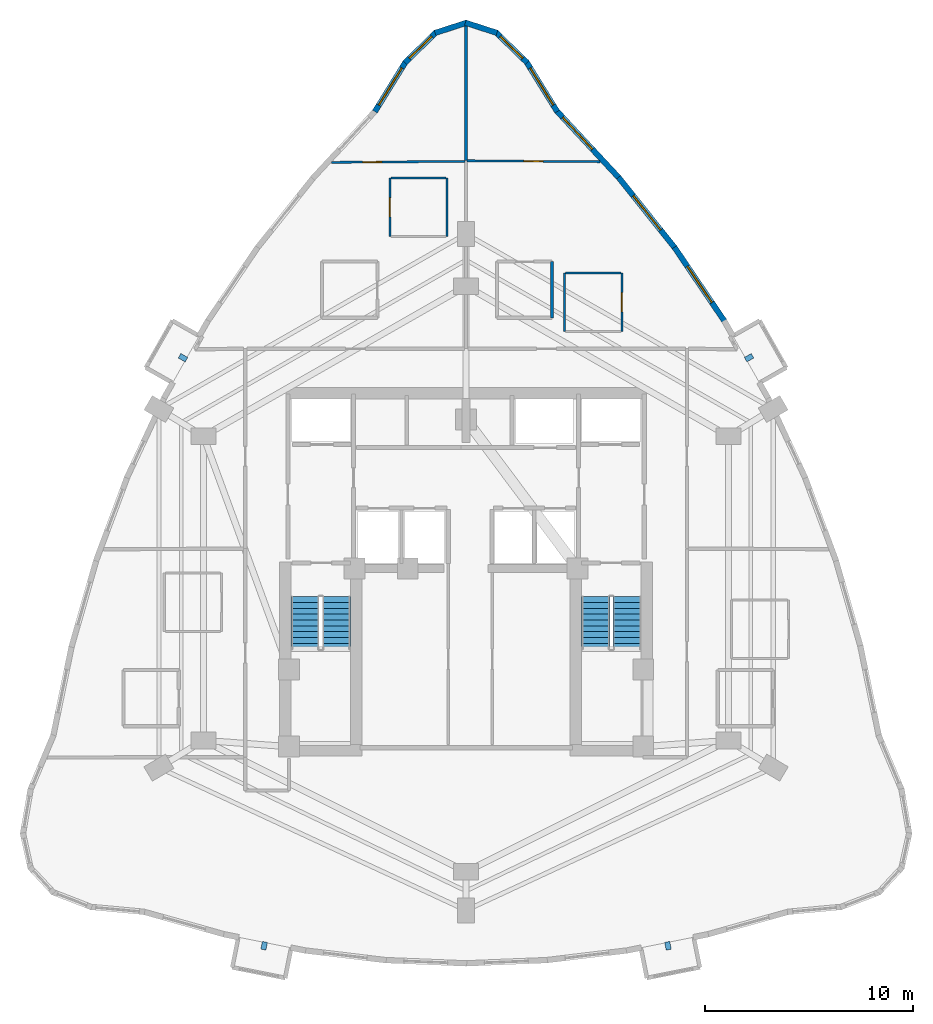
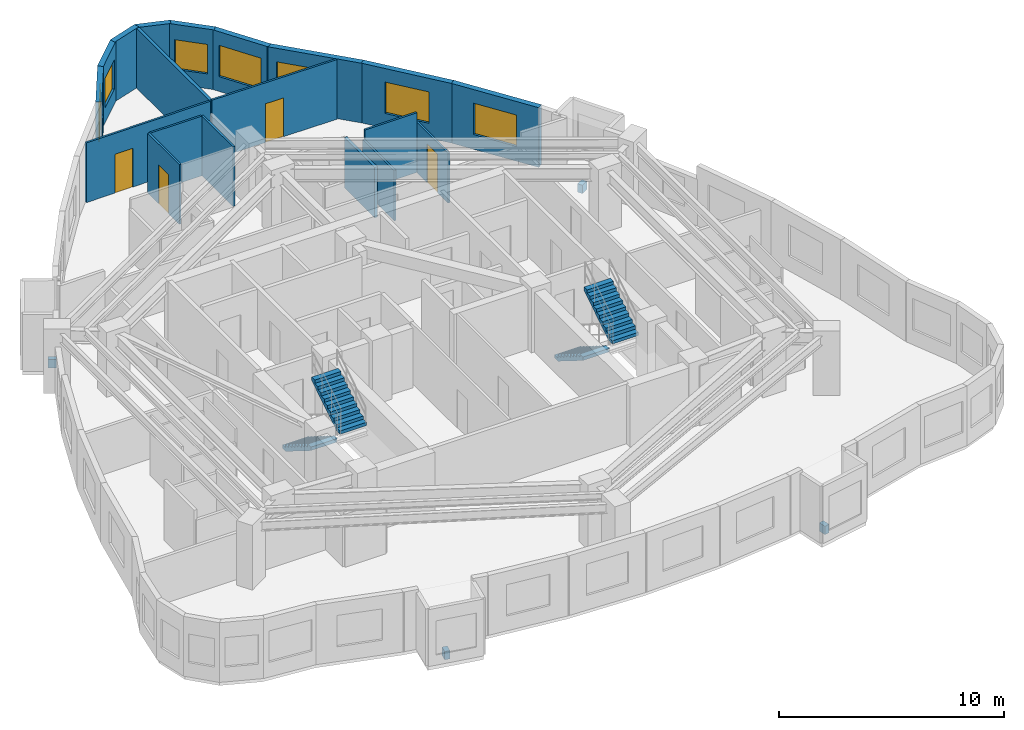
# One storey, part 9 of 10: 19 walls, 7 windows, 4 discrete accessories, 4 doors, 4 stair flights, 11 openings, 2 elements without a shape of their own.
"""IFC4 building model written with IfcOpenShell, lengths in metres."""

import ifcopenshell
import ifcopenshell.guid

model = None  # the IFC model being written
_history = None  # IfcOwnerHistory: only IFC2X3 demands one
_inside = {}  # id of a spatial element -> (the spatial element, [elements in it])
_under = {}  # id of a project, library or spatial element -> (it, [spatial elements below it])
_declared = {}  # id of a project -> (the project, [libraries it declares])
_typed = {}  # id of a type object -> (the type object, [elements of that type])
_made_of = {}  # id of a material, layer set ... -> (it, [elements and type objects made of it])


def new_model(schema):
    """Start an empty IFC model of exactly this schema.

    Asked for "IFC4X3", IfcOpenShell would pick the latest addendum, in which some entities
    have other attributes; the version numbers below select the first issue.
    IFC2X3 requires an IfcOwnerHistory on every rooted entity: one is made here for all.
    """
    global model, _history
    if schema == "IFC4X3":
        model = ifcopenshell.file(schema_version=(4, 3, 0, 0))
    else:
        model = ifcopenshell.file(schema=schema)
    _inside.clear()
    _under.clear()
    _declared.clear()
    _typed.clear()
    _made_of.clear()
    _history = None
    if model.schema == "IFC2X3":
        org = make("IfcOrganization", Name="unknown")
        user = make(
            "IfcPersonAndOrganization",
            ThePerson=make("IfcPerson", FamilyName="unknown"),
            TheOrganization=org,
        )
        app = make(
            "IfcApplication",
            ApplicationDeveloper=org,
            Version="unknown",
            ApplicationFullName="unknown",
            ApplicationIdentifier="unknown",
        )
        _history = make(
            "IfcOwnerHistory",
            OwningUser=user,
            OwningApplication=app,
            ChangeAction="ADDED",
            CreationDate=0,
        )
    return model


def make(cls, **values):
    """One entity of the class cls with the attributes given. An attribute that is None is left unset."""
    return model.create_entity(
        cls, **{name: value for name, value in values.items() if value is not None}
    )


def rooted(cls, **values):
    """An entity with a GlobalId (a new one), such as an element, a storey or a relation."""
    return make(cls, GlobalId=ifcopenshell.guid.new(), OwnerHistory=_history, **values)


def si_unit(unit_type, name, prefix=None):
    """IfcSIUnit, for example si_unit("LENGTHUNIT", "METRE", prefix="MILLI")."""
    return make("IfcSIUnit", UnitType=unit_type, Prefix=prefix, Name=name)


def assignment(units):
    """IfcUnitAssignment: the units of a project."""
    return None if units is None else make("IfcUnitAssignment", Units=units)


def point(xyz):
    """IfcCartesianPoint."""
    return None if xyz is None else make("IfcCartesianPoint", Coordinates=xyz)


def direction(xyz):
    """IfcDirection."""
    return None if xyz is None else make("IfcDirection", DirectionRatios=xyz)


def frame(location, z_axis=None, x_axis=None):
    """IfcAxis2Placement3D, a coordinate frame: its origin and axes. An axis left out is left unset."""
    return make(
        "IfcAxis2Placement3D",
        Location=point(location),
        Axis=direction(z_axis),
        RefDirection=direction(x_axis),
    )


def frame_2d(location, x_axis=None):
    """IfcAxis2Placement2D, a coordinate frame in the plane: its origin and x axis."""
    return make(
        "IfcAxis2Placement2D", Location=point(location), RefDirection=direction(x_axis)
    )


def origin():
    """The frame at (0, 0, 0) with its axes left unset."""
    return frame((0.0, 0.0, 0.0))


def origin_2d():
    """The frame at (0, 0) in the plane with its x axis left unset."""
    return frame_2d((0.0, 0.0))


def place(relative_to, where):
    """IfcLocalPlacement: puts the frame where relative to a parent placement (None: the world)."""
    return make(
        "IfcLocalPlacement", PlacementRelTo=relative_to, RelativePlacement=where
    )


def context(
    kind, dimensions, precision=None, world=None, true_north=None, identifier=None
):
    """IfcGeometricRepresentationContext, for example the 3D "Model" context."""
    return make(
        "IfcGeometricRepresentationContext",
        ContextIdentifier=identifier,
        ContextType=kind,
        CoordinateSpaceDimension=dimensions,
        Precision=precision,
        WorldCoordinateSystem=world,
        TrueNorth=true_north,
    )


def subcontext(parent, identifier, kind, view, scale=None):
    """IfcGeometricRepresentationSubContext, for example "Body" below "Model"."""
    return make(
        "IfcGeometricRepresentationSubContext",
        ContextIdentifier=identifier,
        ContextType=kind,
        ParentContext=parent,
        TargetScale=scale,
        TargetView=view,
    )


def project(units=None, contexts=None):
    """IfcProject with its units and contexts."""
    return rooted(
        "IfcProject",
        Name="project",
        RepresentationContexts=contexts,
        UnitsInContext=assignment(units),
    )


def spatial(cls, under=None, at=None, **own):
    """A site, building, storey or space (cls), placed at a placement, below another one or the project."""
    s = rooted(cls, ObjectPlacement=at, **own)
    if under is not None:
        _under.setdefault(under.id(), (under, []))[1].append(s)
    return s


def polyline(points):
    """IfcPolyline through the points."""
    return make("IfcPolyline", Points=[point(p) for p in points])


def profile(cls, at=None, kind="AREA", **sizes):
    """A parametric profile (cls). Its sizes go by their IFC names, for example OverallWidth=200.0."""
    return make(cls, ProfileType=kind, Position=at, **sizes)


def rectangle(**sizes):
    """IfcRectangleProfileDef."""
    return profile("IfcRectangleProfileDef", **sizes)


def outline(outer, holes=None, kind="AREA"):
    """IfcArbitraryClosedProfileDef: a profile drawn as a closed curve; with holes, ...WithVoids."""
    if holes is None:
        return make("IfcArbitraryClosedProfileDef", ProfileType=kind, OuterCurve=outer)
    return make(
        "IfcArbitraryProfileDefWithVoids",
        ProfileType=kind,
        OuterCurve=outer,
        InnerCurves=holes,
    )


def extrude(swept, where, along, depth):
    """IfcExtrudedAreaSolid: the profile swept, set in the frame where, extruded along a direction by depth."""
    return make(
        "IfcExtrudedAreaSolid",
        SweptArea=swept,
        Position=where,
        ExtrudedDirection=direction(along),
        Depth=depth,
    )


def shape(context_of_items, identifier, shape_type, items):
    """IfcShapeRepresentation: the items that make up one representation, for example the "Body"."""
    return make(
        "IfcShapeRepresentation",
        ContextOfItems=context_of_items,
        RepresentationIdentifier=identifier,
        RepresentationType=shape_type,
        Items=items,
    )


def material(Name=None, Category=None):
    """IfcMaterial."""
    return make("IfcMaterial", Name=Name, Category=Category)


def layer(
    of_material, thickness, ventilated=None, Name=None, Category=None, Priority=None
):
    """IfcMaterialLayer: one layer of a wall or slab, of a material (None: an air gap)."""
    return make(
        "IfcMaterialLayer",
        Material=of_material,
        LayerThickness=thickness,
        IsVentilated=ventilated,
        Name=Name,
        Category=Category,
        Priority=Priority,
    )


def layer_set(layers, Name=None):
    """IfcMaterialLayerSet."""
    return make("IfcMaterialLayerSet", MaterialLayers=layers, LayerSetName=Name)


def made_of(thing, what):
    """Note that an element or type object is made of a material, layer set ...; save() writes the relation."""
    if what is not None:
        _made_of.setdefault(what.id(), (what, []))[1].append(thing)
    return thing


def type_object(cls, material=None, **own):
    """A type object (cls), such as IfcWallType, which elements share."""
    return made_of(rooted(cls, **own), material)


def element(
    cls,
    number,
    at=None,
    inside=None,
    cuts=None,
    type_object=None,
    material=None,
    context=None,
    identifier="Body",
    shape_type=None,
    held_by="IfcProductDefinitionShape",
    body=None,
    shapes=None,
    **own,
):
    """One element of the class cls, such as IfcWall. Its Tag is "e" and its number.

    at: its placement. inside: the storey or other place that contains it. cuts: it is an
    opening in that element (IfcRelVoidsElement). A single representation is given by context,
    identifier, shape_type and body (its items); several are given by shapes. held_by: the class
    of the entity that holds the representations. save() writes the other relations.
    """
    e = rooted(cls, Tag="e%d" % number, ObjectPlacement=at, **own)
    if body is not None:
        shapes = [shape(context, identifier, shape_type, body)]
    if shapes is not None:
        e.Representation = make(held_by, Representations=shapes)
    if inside is not None:
        _inside.setdefault(inside.id(), (inside, []))[1].append(e)
    if cuts is not None:
        rooted(
            "IfcRelVoidsElement", RelatingBuildingElement=cuts, RelatedOpeningElement=e
        )
    if type_object is not None:
        _typed.setdefault(type_object.id(), (type_object, []))[1].append(e)
    return made_of(e, material)


def fill(opening, filler):
    """IfcRelFillsElement: the door or window that sits in an opening."""
    return rooted(
        "IfcRelFillsElement",
        RelatingOpeningElement=opening,
        RelatedBuildingElement=filler,
    )


def aggregate(whole, parts):
    """IfcRelAggregates: a whole, such as a stair, and the parts it consists of."""
    return rooted("IfcRelAggregates", RelatingObject=whole, RelatedObjects=parts)


def save(model, path):
    """Write the relations noted so far, then the file.

    IfcRelAggregates (storeys below a building ...), IfcRelContainedInSpatialStructure (elements
    in a storey), IfcRelDefinesByType, IfcRelAssociatesMaterial and IfcRelDeclares: one each for
    every whole, place, type object, material and project.
    """
    for whole, parts in _under.values():
        aggregate(whole, parts)
    for where, things in _inside.values():
        rooted(
            "IfcRelContainedInSpatialStructure",
            RelatedElements=things,
            RelatingStructure=where,
        )
    for kind, things in _typed.values():
        rooted("IfcRelDefinesByType", RelatedObjects=things, RelatingType=kind)
    for what, things in _made_of.values():
        rooted("IfcRelAssociatesMaterial", RelatedObjects=things, RelatingMaterial=what)
    for by, libraries in _declared.values():
        rooted("IfcRelDeclares", RelatingContext=by, RelatedDefinitions=libraries)
    model.write(path)


model = new_model("IFC4")

# Units and contexts
model_context = context("Model", 3, precision=1e-05, world=origin(), true_north=direction((0.0, 1.0)))
body_context = subcontext(model_context, "Body", "Model", "MODEL_VIEW")
ifc_project = project(units=[si_unit("LENGTHUNIT", "METRE"), si_unit("AREAUNIT", "SQUARE_METRE"), si_unit("VOLUMEUNIT", "CUBIC_METRE"), si_unit("PLANEANGLEUNIT", "RADIAN"), si_unit("MASSUNIT", "GRAM", prefix="KILO")], contexts=[model_context])

# Site, building, storey
site_placement = place(None, origin())
site = spatial("IfcSite", under=ifc_project, at=site_placement, CompositionType="ELEMENT")
building_placement = place(site_placement, origin())
building = spatial("IfcBuilding", under=site, at=building_placement, Name="Miruveldt Soraemaru", CompositionType="ELEMENT")
storey_placement = place(building_placement, frame((0.0, 0.0, 166.89990234375)))
storey = spatial("IfcBuildingStorey", under=building, at=storey_placement, Name="L46", CompositionType="ELEMENT", Elevation=166.89990234375)

# Wall, opening, window
ifc_material_1 = material(Name="Precast concrete C45/55 (45 MPa)", Category="concrete")
ifc_layer_1 = layer(ifc_material_1, 0.27001953125, Name="Precast concrete C45/55 (45 MPa)", Category="concrete")
ifc_layer_set_1 = layer_set([ifc_layer_1], Name="Precast concrete C45/55 (45 MPa)")
wall_type_1 = type_object("IfcWallType", Name="WALL-EXT-PC270", PredefinedType="SOLIDWALL", material=ifc_layer_set_1)
wall_1_placement = place(storey_placement, frame((48.37646484375, 65.975341796875, 0.0), z_axis=(0.0, 0.0, 1.0), x_axis=(-0.52606367771, 0.850445181651, 0.0)))
wall_1 = element("IfcWall", 1, at=wall_1_placement, inside=storey, type_object=wall_type_1, Name="L46 Precast Concrete Facade Wall 1", PredefinedType="SOLIDWALL", context=body_context, shape_type="SweptSolid", body=[
    extrude(rectangle(XDim=2.831298828125, YDim=0.27001953125, at=frame_2d((1.41552734375, 0.0))), origin(), (0.0, 0.0, 1.0), 3.235107421875),
])
opening_1_placement = place(wall_1_placement, frame((0.364990234375, 0.0, 0.800048828125)))
opening_1 = element("IfcOpeningElement", 2, at=opening_1_placement, cuts=wall_1, Name="Opening WN-1", PredefinedType="OPENING", context=body_context, shape_type="SweptSolid", body=[
    extrude(rectangle(XDim=2.10009765625, YDim=1.699951171875, at=frame_2d((1.050048828125, 0.85009765625))), frame((0.0, 0.14501953125, 0.0), z_axis=(0.0, -1.0, 0.0), x_axis=(1.0, 0.0, 0.0)), (0.0, 0.0, 1.0), 0.2900390625),
])
ifc_material_2 = material(Name="Triple low-e insulated glazing", Category="glass")
window_type_1 = type_object("IfcWindowType", Name="WIN-PUNCH-2100x1700", PartitioningType="SINGLE_PANEL", PredefinedType="WINDOW", material=ifc_material_2)
window_1_placement = place(opening_1_placement, origin())
window_1 = element("IfcWindow", 3, at=window_1_placement, inside=storey, type_object=window_type_1, Name="L46 Punched Triple-Glazed Window 01.1", OverallHeight=1.699951171875, OverallWidth=2.10009765625, PartitioningType="SINGLE_PANEL", PredefinedType="WINDOW", context=body_context, shape_type="SweptSolid", body=[
    extrude(rectangle(XDim=2.10009765625, YDim=1.699951171875, at=frame_2d((1.050048828125, 0.85009765625))), frame((0.0, 0.030029296875, 0.0), z_axis=(0.0, -1.0, 0.0), x_axis=(1.0, 0.0, 0.0)), (0.0, 0.0, 1.0), 0.06005859375),
])
fill(opening_1, window_1)

wall_2_placement = place(storey_placement, frame((46.930419921875, 68.3291015625, 0.0), z_axis=(0.0, 0.0, 1.0), x_axis=(-0.717810327484, 0.696238704582, 0.0)))
wall_2 = element("IfcWall", 4, at=wall_2_placement, inside=storey, type_object=wall_type_1, Name="L46 Precast Concrete Facade Wall 2", PredefinedType="SOLIDWALL", context=body_context, shape_type="SweptSolid", body=[
    extrude(rectangle(XDim=2.09375, YDim=0.27001953125, at=frame_2d((1.046875, 0.0))), origin(), (0.0, 0.0, 1.0), 3.235107421875),
])
opening_2_placement = place(wall_2_placement, frame((0.297119140625, 0.0, 0.800048828125)))
opening_2 = element("IfcOpeningElement", 5, at=opening_2_placement, cuts=wall_2, Name="Opening WN-3", PredefinedType="OPENING", context=body_context, shape_type="SweptSolid", body=[
    extrude(rectangle(XDim=1.5, YDim=1.60009765625, at=frame_2d((0.75, 0.800048828125))), frame((0.0, 0.14501953125, 0.0), z_axis=(0.0, -1.0, 0.0), x_axis=(1.0, 0.0, 0.0)), (0.0, 0.0, 1.0), 0.2900390625),
])
window_type_2 = type_object("IfcWindowType", Name="WIN-PUNCH-1500x1600", PartitioningType="SINGLE_PANEL", PredefinedType="WINDOW", material=ifc_material_2)
window_2_placement = place(opening_2_placement, origin())
window_2 = element("IfcWindow", 6, at=window_2_placement, inside=storey, type_object=window_type_2, Name="L46 Punched Triple-Glazed Window 02.1", OverallHeight=1.60009765625, OverallWidth=1.5, PartitioningType="SINGLE_PANEL", PredefinedType="WINDOW", context=body_context, shape_type="SweptSolid", body=[
    extrude(rectangle(XDim=1.5, YDim=1.60009765625, at=frame_2d((0.75, 0.800048828125))), frame((0.0, 0.030029296875, 0.0), z_axis=(0.0, -1.0, 0.0), x_axis=(1.0, 0.0, 0.0)), (0.0, 0.0, 1.0), 0.06005859375),
])
fill(opening_2, window_2)

# Walls
for number, where, z_axis, x_axis, name in (
    (7, (45.486083984375, 69.751708984375, 0.0), (0.0, 0.0, 1.0), (-0.951503769565, 0.307637085709, 0.0), "L46 Precast Concrete Facade Wall 3"),
    (8, (44.033203125, 70.242919921875, 0.0), (0.0, 0.0, 1.0), (-0.951503769565, -0.307637085709, 0.0), "L46 Precast Concrete Facade Wall 4"),
):
    element("IfcWall", number, at=place(storey_placement, frame(where, z_axis=z_axis, x_axis=x_axis)), inside=storey, type_object=wall_type_1, Name=name, PredefinedType="SOLIDWALL", context=body_context, shape_type="SweptSolid", body=[
        extrude(rectangle(XDim=1.5966796875, YDim=0.27001953125, at=frame_2d((0.79833984375, 0.0))), origin(), (0.0, 0.0, 1.0), 3.235107421875),
    ])

# Wall, opening, window
wall_3_placement = place(storey_placement, frame((42.572509765625, 69.786865234375, 0.0), z_axis=(0.0, 0.0, 1.0), x_axis=(-0.717810327484, -0.696238704582, 0.0)))
wall_3 = element("IfcWall", 9, at=wall_3_placement, inside=storey, type_object=wall_type_1, Name="L46 Precast Concrete Facade Wall 5", PredefinedType="SOLIDWALL", context=body_context, shape_type="SweptSolid", body=[
    extrude(rectangle(XDim=2.09375, YDim=0.27001953125, at=frame_2d((1.046875, 0.0))), origin(), (0.0, 0.0, 1.0), 3.235107421875),
])
opening_3_placement = place(wall_3_placement, frame((0.297119140625, 0.0, 0.800048828125)))
opening_3 = element("IfcOpeningElement", 10, at=opening_3_placement, cuts=wall_3, Name="Opening WN-3", PredefinedType="OPENING", context=body_context, shape_type="SweptSolid", body=[
    extrude(rectangle(XDim=1.5, YDim=1.60009765625, at=frame_2d((0.75, 0.800048828125))), frame((0.0, 0.14501953125, 0.0), z_axis=(0.0, -1.0, 0.0), x_axis=(1.0, 0.0, 0.0)), (0.0, 0.0, 1.0), 0.2900390625),
])
window_3_placement = place(opening_3_placement, origin())
window_3 = element("IfcWindow", 11, at=window_3_placement, inside=storey, type_object=window_type_2, Name="L46 Punched Triple-Glazed Window 05.1", OverallHeight=1.60009765625, OverallWidth=1.5, PartitioningType="SINGLE_PANEL", PredefinedType="WINDOW", context=body_context, shape_type="SweptSolid", body=[
    extrude(rectangle(XDim=1.5, YDim=1.60009765625, at=frame_2d((0.75, 0.800048828125))), frame((0.0, 0.030029296875, 0.0), z_axis=(0.0, -1.0, 0.0), x_axis=(1.0, 0.0, 0.0)), (0.0, 0.0, 1.0), 0.06005859375),
])
fill(opening_3, window_3)

wall_4_placement = place(storey_placement, frame((41.113037109375, 68.38330078125, 0.0), z_axis=(0.0, 0.0, 1.0), x_axis=(-0.52606367771, -0.850445181651, 0.0)))
wall_4 = element("IfcWall", 12, at=wall_4_placement, inside=storey, type_object=wall_type_1, Name="L46 Precast Concrete Facade Wall 6", PredefinedType="SOLIDWALL", context=body_context, shape_type="SweptSolid", body=[
    extrude(rectangle(XDim=2.831298828125, YDim=0.27001953125, at=frame_2d((1.41552734375, 0.0))), origin(), (0.0, 0.0, 1.0), 3.235107421875),
])
opening_4_placement = place(wall_4_placement, frame((0.364990234375, 0.0, 0.800048828125)))
opening_4 = element("IfcOpeningElement", 13, at=opening_4_placement, cuts=wall_4, Name="Opening WN-1", PredefinedType="OPENING", context=body_context, shape_type="SweptSolid", body=[
    extrude(rectangle(XDim=2.10009765625, YDim=1.699951171875, at=frame_2d((1.050048828125, 0.85009765625))), frame((0.0, 0.14501953125, 0.0), z_axis=(0.0, -1.0, 0.0), x_axis=(1.0, 0.0, 0.0)), (0.0, 0.0, 1.0), 0.2900390625),
])
window_4_placement = place(opening_4_placement, origin())
window_4 = element("IfcWindow", 14, at=window_4_placement, inside=storey, type_object=window_type_1, Name="L46 Punched Triple-Glazed Window 06.1", OverallHeight=1.699951171875, OverallWidth=2.10009765625, PartitioningType="SINGLE_PANEL", PredefinedType="WINDOW", context=body_context, shape_type="SweptSolid", body=[
    extrude(rectangle(XDim=2.10009765625, YDim=1.699951171875, at=frame_2d((1.050048828125, 0.85009765625))), frame((0.0, 0.030029296875, 0.0), z_axis=(0.0, -1.0, 0.0), x_axis=(1.0, 0.0, 0.0)), (0.0, 0.0, 1.0), 0.06005859375),
])
fill(opening_4, window_4)

wall_5_placement = place(storey_placement, frame((56.421630859375, 55.892578125, 0.0), z_axis=(0.0, 0.0, 1.0), x_axis=(-0.560806873165, 0.827946647442, 0.0)))
wall_5 = element("IfcWall", 15, at=wall_5_placement, inside=storey, type_object=wall_type_1, Name="L46 Precast Concrete Facade Wall 40", PredefinedType="SOLIDWALL", context=body_context, shape_type="SweptSolid", body=[
    extrude(rectangle(XDim=4.31640625, YDim=0.27001953125, at=frame_2d((2.158203125, 0.0))), origin(), (0.0, 0.0, 1.0), 3.235107421875),
])
opening_5_placement = place(wall_5_placement, frame((1.10791015625, 0.0, 0.800048828125)))
opening_5 = element("IfcOpeningElement", 16, at=opening_5_placement, cuts=wall_5, Name="Opening WN-1", PredefinedType="OPENING", context=body_context, shape_type="SweptSolid", body=[
    extrude(rectangle(XDim=2.10009765625, YDim=1.699951171875, at=frame_2d((1.050048828125, 0.85009765625))), frame((0.0, 0.14501953125, 0.0), z_axis=(0.0, -1.0, 0.0), x_axis=(1.0, 0.0, 0.0)), (0.0, 0.0, 1.0), 0.2900390625),
])
window_5_placement = place(opening_5_placement, origin())
window_5 = element("IfcWindow", 17, at=window_5_placement, inside=storey, type_object=window_type_1, Name="L46 Punched Triple-Glazed Window 40.1", OverallHeight=1.699951171875, OverallWidth=2.10009765625, PartitioningType="SINGLE_PANEL", PredefinedType="WINDOW", context=body_context, shape_type="SweptSolid", body=[
    extrude(rectangle(XDim=2.10009765625, YDim=1.699951171875, at=frame_2d((1.050048828125, 0.85009765625))), frame((0.0, 0.030029296875, 0.0), z_axis=(0.0, -1.0, 0.0), x_axis=(1.0, 0.0, 0.0)), (0.0, 0.0, 1.0), 0.06005859375),
])
fill(opening_5, window_5)

wall_6_placement = place(storey_placement, frame((54.042236328125, 59.409912109375, 0.0), z_axis=(0.0, 0.0, 1.0), x_axis=(-0.623611033504, 0.781734788079, 0.0)))
wall_6 = element("IfcWall", 18, at=wall_6_placement, inside=storey, type_object=wall_type_1, Name="L46 Precast Concrete Facade Wall 41", PredefinedType="SOLIDWALL", context=body_context, shape_type="SweptSolid", body=[
    extrude(rectangle(XDim=4.369384765625, YDim=0.27001953125, at=frame_2d((2.1845703125, 0.0))), origin(), (0.0, 0.0, 1.0), 3.235107421875),
])
opening_6_placement = place(wall_6_placement, frame((1.135009765625, 0.0, 0.800048828125)))
opening_6 = element("IfcOpeningElement", 19, at=opening_6_placement, cuts=wall_6, Name="Opening WN-1", PredefinedType="OPENING", context=body_context, shape_type="SweptSolid", body=[
    extrude(rectangle(XDim=2.10009765625, YDim=1.699951171875, at=frame_2d((1.050048828125, 0.85009765625))), frame((0.0, 0.14501953125, 0.0), z_axis=(0.0, -1.0, 0.0), x_axis=(1.0, 0.0, 0.0)), (0.0, 0.0, 1.0), 0.2900390625),
])
window_6_placement = place(opening_6_placement, origin())
window_6 = element("IfcWindow", 20, at=window_6_placement, inside=storey, type_object=window_type_1, Name="L46 Punched Triple-Glazed Window 41.1", OverallHeight=1.699951171875, OverallWidth=2.10009765625, PartitioningType="SINGLE_PANEL", PredefinedType="WINDOW", context=body_context, shape_type="SweptSolid", body=[
    extrude(rectangle(XDim=2.10009765625, YDim=1.699951171875, at=frame_2d((1.050048828125, 0.85009765625))), frame((0.0, 0.030029296875, 0.0), z_axis=(0.0, -1.0, 0.0), x_axis=(1.0, 0.0, 0.0)), (0.0, 0.0, 1.0), 0.06005859375),
])
fill(opening_6, window_6)

wall_7_placement = place(storey_placement, frame((51.36279296875, 62.772705078125, 0.0), z_axis=(0.0, 0.0, 1.0), x_axis=(-0.680840456656, 0.732431752848, 0.0)))
wall_7 = element("IfcWall", 21, at=wall_7_placement, inside=storey, type_object=wall_type_1, Name="L46 Precast Concrete Facade Wall 42", PredefinedType="SOLIDWALL", context=body_context, shape_type="SweptSolid", body=[
    extrude(rectangle(XDim=4.4482421875, YDim=0.27001953125, at=frame_2d((2.22412109375, 0.0))), origin(), (0.0, 0.0, 1.0), 3.235107421875),
])
opening_7_placement = place(wall_7_placement, frame((1.907958984375, 0.0, 0.800048828125)))
opening_7 = element("IfcOpeningElement", 22, at=opening_7_placement, cuts=wall_7, Name="Opening WN-1", PredefinedType="OPENING", context=body_context, shape_type="SweptSolid", body=[
    extrude(rectangle(XDim=2.10009765625, YDim=1.699951171875, at=frame_2d((1.050048828125, 0.85009765625))), frame((0.0, 0.14501953125, 0.0), z_axis=(0.0, -1.0, 0.0), x_axis=(1.0, 0.0, 0.0)), (0.0, 0.0, 1.0), 0.2900390625),
])
window_7_placement = place(opening_7_placement, origin())
window_7 = element("IfcWindow", 23, at=window_7_placement, inside=storey, type_object=window_type_1, Name="L46 Punched Triple-Glazed Window 42.1", OverallHeight=1.699951171875, OverallWidth=2.10009765625, PartitioningType="SINGLE_PANEL", PredefinedType="WINDOW", context=body_context, shape_type="SweptSolid", body=[
    extrude(rectangle(XDim=2.10009765625, YDim=1.699951171875, at=frame_2d((1.050048828125, 0.85009765625))), frame((0.0, 0.030029296875, 0.0), z_axis=(0.0, -1.0, 0.0), x_axis=(1.0, 0.0, 0.0)), (0.0, 0.0, 1.0), 0.06005859375),
])
fill(opening_7, window_7)

# Wall, opening, door
ifc_material_3 = material(Name="Gypsum plasterboard lining", Category="gypsum")
ifc_layer_2 = layer(ifc_material_3, 0.10009765625, Name="Gypsum plasterboard lining", Category="gypsum")
ifc_layer_set_2 = layer_set([ifc_layer_2], Name="Gypsum plasterboard lining")
wall_type_2 = type_object("IfcWallType", Name="WALL-INT-P100", PredefinedType="PARTITIONING", material=ifc_layer_set_2)
wall_8_placement = place(storey_placement, frame((43.949951171875, 63.587890625, 0.0), z_axis=(0.0, 0.0, 1.0), x_axis=(-0.999972006303, -0.007482420143, 0.0)))
wall_8 = element("IfcWall", 24, at=wall_8_placement, inside=storey, type_object=wall_type_2, Name="L46 Partition Wall 19", PredefinedType="PARTITIONING", context=body_context, shape_type="SweptSolid", body=[
    extrude(rectangle(XDim=6.395263671875, YDim=0.10009765625, at=frame_2d((3.19775390625, 0.0))), origin(), (0.0, 0.0, 1.0), 3.235107421875),
])
opening_8_placement = place(wall_8_placement, frame((3.998046875, 0.0, 0.0)))
opening_8 = element("IfcOpeningElement", 25, at=opening_8_placement, cuts=wall_8, Name="Opening D3A", PredefinedType="OPENING", context=body_context, shape_type="SweptSolid", body=[
    extrude(rectangle(XDim=0.919921875, YDim=2.10009765625, at=frame_2d((0.4599609375, 1.050048828125))), frame((0.0, 0.06005859375, 0.0), z_axis=(0.0, -1.0, 0.0), x_axis=(1.0, 0.0, 0.0)), (0.0, 0.0, 1.0), 0.1201171875),
])
ifc_material_4 = material(Name="Anodised aluminium EN AW-6063 T6", Category="aluminium")
door_type = type_object("IfcDoorType", Name="DOOR-INT-920", OperationType="NOTDEFINED", PredefinedType="DOOR", material=ifc_material_4)
door_1_placement = place(opening_8_placement, origin())
door_1 = element("IfcDoor", 26, at=door_1_placement, inside=storey, type_object=door_type, Name="L46 Unit 4601 DIN Door", OperationType="SINGLE_SWING_LEFT", OverallHeight=2.10009765625, OverallWidth=0.919921875, PredefinedType="DOOR", context=body_context, shape_type="SweptSolid", body=[
    extrude(rectangle(XDim=0.919921875, YDim=2.10009765625, at=frame_2d((0.4599609375, 1.050048828125))), frame((0.0, 0.02490234375, 0.0), z_axis=(0.0, -1.0, 0.0), x_axis=(1.0, 0.0, 0.0)), (0.0, 0.0, 1.0), 0.050048828125),
])
fill(opening_8, door_1)

wall_9_placement = place(storey_placement, frame((50.4169921875, 63.570068359375, 0.0), z_axis=(0.0, 0.0, 1.0), x_axis=(-0.999971758882, 0.007515413349, 0.0)))
wall_9 = element("IfcWall", 27, at=wall_9_placement, inside=storey, type_object=wall_type_2, Name="L46 Partition Wall 31", PredefinedType="PARTITIONING", context=body_context, shape_type="SweptSolid", body=[
    extrude(rectangle(XDim=6.3671875, YDim=0.10009765625, at=frame_2d((3.18359375, 0.0))), origin(), (0.0, 0.0, 1.0), 3.235107421875),
])
opening_9_placement = place(wall_9_placement, frame((2.72412109375, 0.0, 0.0)))
opening_9 = element("IfcOpeningElement", 28, at=opening_9_placement, cuts=wall_9, Name="Opening D3A", PredefinedType="OPENING", context=body_context, shape_type="SweptSolid", body=[
    extrude(rectangle(XDim=0.919921875, YDim=2.10009765625, at=frame_2d((0.4599609375, 1.050048828125))), frame((0.0, 0.06005859375, 0.0), z_axis=(0.0, -1.0, 0.0), x_axis=(1.0, 0.0, 0.0)), (0.0, 0.0, 1.0), 0.1201171875),
])
door_2_placement = place(opening_9_placement, origin())
door_2 = element("IfcDoor", 29, at=door_2_placement, inside=storey, type_object=door_type, Name="L46 Unit 4602 DIN Door", OperationType="SINGLE_SWING_LEFT", OverallHeight=2.10009765625, OverallWidth=0.919921875, PredefinedType="DOOR", context=body_context, shape_type="SweptSolid", body=[
    extrude(rectangle(XDim=0.919921875, YDim=2.10009765625, at=frame_2d((0.4599609375, 1.050048828125))), frame((0.0, 0.02490234375, 0.0), z_axis=(0.0, -1.0, 0.0), x_axis=(1.0, 0.0, 0.0)), (0.0, 0.0, 1.0), 0.050048828125),
])
fill(opening_9, door_2)

wall_10_placement = place(storey_placement, frame((40.342041015625, 62.780029296875, 0.0), z_axis=(0.0, 0.0, 1.0), x_axis=(0.0, -1.0, 0.0)))
wall_10 = element("IfcWall", 30, at=wall_10_placement, inside=storey, type_object=wall_type_2, Name="L46 Partition Wall 17", PredefinedType="PARTITIONING", context=body_context, shape_type="SweptSolid", body=[
    extrude(rectangle(XDim=2.800048828125, YDim=0.10009765625, at=frame_2d((1.39990234375, 0.0))), origin(), (0.0, 0.0, 1.0), 3.235107421875),
])
opening_10_placement = place(wall_10_placement, frame((0.93994140625, 0.0, 0.0)))
opening_10 = element("IfcOpeningElement", 31, at=opening_10_placement, cuts=wall_10, Name="Opening D3A", PredefinedType="OPENING", context=body_context, shape_type="SweptSolid", body=[
    extrude(rectangle(XDim=0.919921875, YDim=2.10009765625, at=frame_2d((0.4599609375, 1.050048828125))), frame((0.0, 0.06005859375, 0.0), z_axis=(0.0, -1.0, 0.0), x_axis=(1.0, 0.0, 0.0)), (0.0, 0.0, 1.0), 0.1201171875),
])
door_3_placement = place(opening_10_placement, origin())
door_3 = element("IfcDoor", 32, at=door_3_placement, inside=storey, type_object=door_type, Name="L46 Unit 4601 KIT Door", OperationType="SINGLE_SWING_RIGHT", OverallHeight=2.10009765625, OverallWidth=0.919921875, PredefinedType="DOOR", context=body_context, shape_type="SweptSolid", body=[
    extrude(rectangle(XDim=0.919921875, YDim=2.10009765625, at=frame_2d((0.4599609375, 1.050048828125))), frame((0.0, 0.02490234375, 0.0), z_axis=(0.0, -1.0, 0.0), x_axis=(1.0, 0.0, 0.0)), (0.0, 0.0, 1.0), 0.050048828125),
])
fill(opening_10, door_3)

wall_11_placement = place(storey_placement, frame((51.47998046875, 55.429931640625, 0.0), z_axis=(0.0, 0.0, 1.0), x_axis=(0.0, 1.0, 0.0)))
wall_11 = element("IfcWall", 33, at=wall_11_placement, inside=storey, type_object=wall_type_2, Name="L46 Partition Wall 27", PredefinedType="PARTITIONING", context=body_context, shape_type="SweptSolid", body=[
    extrude(rectangle(XDim=2.800048828125, YDim=0.10009765625, at=frame_2d((1.39990234375, 0.0))), origin(), (0.0, 0.0, 1.0), 2.72314453125),
])
opening_11_placement = place(wall_11_placement, frame((0.93994140625, 0.0, 0.0)))
opening_11 = element("IfcOpeningElement", 34, at=opening_11_placement, cuts=wall_11, Name="Opening D3A", PredefinedType="OPENING", context=body_context, shape_type="SweptSolid", body=[
    extrude(rectangle(XDim=0.919921875, YDim=2.10009765625, at=frame_2d((0.4599609375, 1.050048828125))), frame((0.0, 0.06005859375, 0.0), z_axis=(0.0, -1.0, 0.0), x_axis=(1.0, 0.0, 0.0)), (0.0, 0.0, 1.0), 0.1201171875),
])
door_4_placement = place(opening_11_placement, origin())
door_4 = element("IfcDoor", 35, at=door_4_placement, inside=storey, type_object=door_type, Name="L46 Unit 4602 KIT Door", OperationType="SINGLE_SWING_RIGHT", OverallHeight=2.10009765625, OverallWidth=0.919921875, PredefinedType="DOOR", context=body_context, shape_type="SweptSolid", body=[
    extrude(rectangle(XDim=0.919921875, YDim=2.10009765625, at=frame_2d((0.4599609375, 1.050048828125))), frame((0.0, 0.02490234375, 0.0), z_axis=(0.0, -1.0, 0.0), x_axis=(1.0, 0.0, 0.0)), (0.0, 0.0, 1.0), 0.050048828125),
])
fill(opening_11, door_4)

# Walls
wall_12_placement = place(storey_placement, frame((43.092041015625, 59.97998046875, 0.0), z_axis=(0.0, 0.0, 1.0), x_axis=(0.0, 1.0, 0.0)))
element("IfcWall", 36, at=wall_12_placement, inside=storey, type_object=wall_type_2, Name="L46 Partition Wall 15", PredefinedType="PARTITIONING", context=body_context, shape_type="SweptSolid", body=[
    extrude(rectangle(XDim=2.800048828125, YDim=0.10009765625, at=frame_2d((1.39990234375, 0.0))), origin(), (0.0, 0.0, 1.0), 3.235107421875),
])
wall_13_placement = place(storey_placement, frame((48.72998046875, 58.22998046875, 0.0), z_axis=(0.0, 0.0, 1.0), x_axis=(0.0, -1.0, 0.0)))
element("IfcWall", 37, at=wall_13_placement, inside=storey, type_object=wall_type_2, Name="L46 Partition Wall 29", PredefinedType="PARTITIONING", context=body_context, shape_type="SweptSolid", body=[
    extrude(rectangle(XDim=2.800048828125, YDim=0.10009765625, at=frame_2d((1.39990234375, 0.0))), origin(), (0.0, 0.0, 1.0), 2.72314453125),
])
for number, where, z_axis, x_axis, name in (
    (38, (43.0419921875, 62.780029296875, 0.0), (0.0, 0.0, 1.0), (-1.0, 0.0, 0.0), "L46 Partition Wall 16"),
    (39, (51.429931640625, 58.22998046875, 0.0), (0.0, 0.0, 1.0), (-1.0, 0.0, 0.0), "L46 Partition Wall 28"),
):
    element("IfcWall", number, at=place(storey_placement, frame(where, z_axis=z_axis, x_axis=x_axis)), inside=storey, type_object=wall_type_2, Name=name, PredefinedType="PARTITIONING", context=body_context, shape_type="SweptSolid", body=[
        extrude(rectangle(XDim=2.64990234375, YDim=0.10009765625, at=frame_2d((1.324951171875, 0.0))), origin(), (0.0, 0.0, 1.0), 3.235107421875),
    ])
ifc_layer_3 = layer(ifc_material_3, 0.14990234375, Name="Gypsum plasterboard lining", Category="gypsum")
ifc_layer_set_3 = layer_set([ifc_layer_3], Name="Gypsum plasterboard lining")
wall_type_3 = type_object("IfcWallType", Name="WALL-INT-PLUMB", PredefinedType="PLUMBINGWALL", material=ifc_layer_set_3)
wall_14_placement = place(storey_placement, frame((48.1298828125, 56.080078125, 0.0), z_axis=(0.0, 0.0, 1.0), x_axis=(0.0, 1.0, 0.0)))
element("IfcWall", 40, at=wall_14_placement, inside=storey, type_object=wall_type_3, Name="L46 Partition Wall 23", PredefinedType="PLUMBINGWALL", context=body_context, shape_type="SweptSolid", body=[
    extrude(rectangle(XDim=2.699951171875, YDim=0.14990234375, at=frame_2d((1.35009765625, 0.0))), origin(), (0.0, 0.0, 1.0), 2.72314453125),
])
ifc_material_5 = material(Name="Concrete C40/50 (40 MPa)", Category="concrete")
ifc_layer_4 = layer(ifc_material_5, 0.159912109375, Name="Concrete C40/50 (40 MPa)", Category="concrete")
ifc_layer_set_4 = layer_set([ifc_layer_4], Name="Concrete C40/50 (40 MPa)")
wall_type_4 = type_object("IfcWallType", Name="WALL-INT-RC160", PredefinedType="SOLIDWALL", material=ifc_layer_set_4)
wall_15_placement = place(storey_placement, frame((44.0, 63.617919921875, 0.0), z_axis=(0.0, 0.0, 1.0), x_axis=(0.0, 1.0, 0.0)))
element("IfcWall", 41, at=wall_15_placement, inside=storey, type_object=wall_type_4, Name="L46 Partition Wall 22", PredefinedType="SOLIDWALL", context=body_context, shape_type="SweptSolid", body=[
    extrude(rectangle(XDim=6.4560546875, YDim=0.159912109375, at=frame_2d((3.22802734375, 0.0))), origin(), (0.0, 0.0, 1.0), 3.235107421875),
])

# Stair, stair flights
stair_type = type_object("IfcStairType", Name="STAIR-DL-350", PredefinedType="HALF_TURN_STAIR", material=ifc_material_5)
stair_1_placement = place(storey_placement, origin())
stair_1 = element("IfcStair", 42, at=stair_1_placement, inside=storey, type_object=stair_type, Name="L46 Protected Exit Stair ST-1", PredefinedType="HALF_TURN_STAIR")
stair_flight_type = type_object("IfcStairFlightType", Name="SFL-DL-350", PredefinedType="STRAIGHT", material=ifc_material_5)
stair_flight_1_placement = place(storey_placement, frame((36.27490234375, 42.699951171875, 0.0), z_axis=(0.0, 0.0, 1.0), x_axis=(0.0, -1.0, 0.0)))
stair_flight_1 = element("IfcStairFlight", 43, at=stair_flight_1_placement, type_object=stair_flight_type, Name="ST-1 flight 1", NumberOfRisers=10, NumberOfTreads=9, PredefinedType="STRAIGHT", RiserHeight=0.175, TreadLength=0.28, context=body_context, shape_type="SweptSolid", body=[
    extrude(outline(polyline([(0.0, 0.0), (0.0, 0.175048828125), (0.280029296875, 0.175048828125), (0.280029296875, 0.35009765625), (0.56005859375, 0.35009765625), (0.56005859375, 0.52490234375), (0.840087890625, 0.52490234375), (0.840087890625, 0.699951171875), (1.1201171875, 0.699951171875), (1.1201171875, 0.875), (1.39990234375, 0.875), (1.39990234375, 1.050048828125), (1.679931640625, 1.050048828125), (1.679931640625, 1.22509765625), (1.9599609375, 1.22509765625), (1.9599609375, 1.39990234375), (2.239990234375, 1.39990234375), (2.239990234375, 1.574951171875), (2.52001953125, 1.574951171875), (2.52001953125, 1.75), (2.52001953125, 1.386474609375), (0.3017578125, 0.0), (0.0, 0.0)])), frame((0.0, 0.675048828125, 0.0), z_axis=(0.0, -1.0, 0.0), x_axis=(1.0, 0.0, 0.0)), (0.0, 0.0, 1.0), 1.35009765625),
])
stair_flight_2_placement = place(storey_placement, frame((37.77490234375, 40.179931640625, 1.75), z_axis=(0.0, 0.0, 1.0), x_axis=(0.0, 1.0, 0.0)))
stair_flight_2 = element("IfcStairFlight", 44, at=stair_flight_2_placement, type_object=stair_flight_type, Name="ST-1 flight 2", NumberOfRisers=10, NumberOfTreads=9, PredefinedType="STRAIGHT", RiserHeight=0.175, TreadLength=0.28, context=body_context, shape_type="SweptSolid", body=[
    extrude(outline(polyline([(0.0, 0.0), (0.0, 0.175048828125), (0.280029296875, 0.175048828125), (0.280029296875, 0.35009765625), (0.56005859375, 0.35009765625), (0.56005859375, 0.52490234375), (0.840087890625, 0.52490234375), (0.840087890625, 0.699951171875), (1.1201171875, 0.699951171875), (1.1201171875, 0.875), (1.39990234375, 0.875), (1.39990234375, 1.050048828125), (1.679931640625, 1.050048828125), (1.679931640625, 1.22509765625), (1.9599609375, 1.22509765625), (1.9599609375, 1.39990234375), (2.239990234375, 1.39990234375), (2.239990234375, 1.574951171875), (2.52001953125, 1.574951171875), (2.52001953125, 1.75), (2.52001953125, 1.386474609375), (0.3017578125, 0.0), (0.0, 0.0)])), frame((0.0, 0.675048828125, 0.0), z_axis=(0.0, -1.0, 0.0), x_axis=(1.0, 0.0, 0.0)), (0.0, 0.0, 1.0), 1.35009765625),
])
aggregate(stair_1, [stair_flight_1, stair_flight_2])

stair_2_placement = place(storey_placement, origin())
stair_2 = element("IfcStair", 45, at=stair_2_placement, inside=storey, type_object=stair_type, Name="L46 Protected Exit Stair ST-2", PredefinedType="HALF_TURN_STAIR")
stair_flight_3_placement = place(storey_placement, frame((50.22509765625, 42.699951171875, 0.0), z_axis=(0.0, 0.0, 1.0), x_axis=(0.0, -1.0, 0.0)))
stair_flight_3 = element("IfcStairFlight", 46, at=stair_flight_3_placement, type_object=stair_flight_type, Name="ST-2 flight 1", NumberOfRisers=10, NumberOfTreads=9, PredefinedType="STRAIGHT", RiserHeight=0.175, TreadLength=0.28, context=body_context, shape_type="SweptSolid", body=[
    extrude(outline(polyline([(0.0, 0.0), (0.0, 0.175048828125), (0.280029296875, 0.175048828125), (0.280029296875, 0.35009765625), (0.56005859375, 0.35009765625), (0.56005859375, 0.52490234375), (0.840087890625, 0.52490234375), (0.840087890625, 0.699951171875), (1.1201171875, 0.699951171875), (1.1201171875, 0.875), (1.39990234375, 0.875), (1.39990234375, 1.050048828125), (1.679931640625, 1.050048828125), (1.679931640625, 1.22509765625), (1.9599609375, 1.22509765625), (1.9599609375, 1.39990234375), (2.239990234375, 1.39990234375), (2.239990234375, 1.574951171875), (2.52001953125, 1.574951171875), (2.52001953125, 1.75), (2.52001953125, 1.386474609375), (0.3017578125, 0.0), (0.0, 0.0)])), frame((0.0, 0.675048828125, 0.0), z_axis=(0.0, -1.0, 0.0), x_axis=(1.0, 0.0, 0.0)), (0.0, 0.0, 1.0), 1.35009765625),
])
stair_flight_4_placement = place(storey_placement, frame((51.72509765625, 40.179931640625, 1.75), z_axis=(0.0, 0.0, 1.0), x_axis=(0.0, 1.0, 0.0)))
stair_flight_4 = element("IfcStairFlight", 47, at=stair_flight_4_placement, type_object=stair_flight_type, Name="ST-2 flight 2", NumberOfRisers=10, NumberOfTreads=9, PredefinedType="STRAIGHT", RiserHeight=0.175, TreadLength=0.28, context=body_context, shape_type="SweptSolid", body=[
    extrude(outline(polyline([(0.0, 0.0), (0.0, 0.175048828125), (0.280029296875, 0.175048828125), (0.280029296875, 0.35009765625), (0.56005859375, 0.35009765625), (0.56005859375, 0.52490234375), (0.840087890625, 0.52490234375), (0.840087890625, 0.699951171875), (1.1201171875, 0.699951171875), (1.1201171875, 0.875), (1.39990234375, 0.875), (1.39990234375, 1.050048828125), (1.679931640625, 1.050048828125), (1.679931640625, 1.22509765625), (1.9599609375, 1.22509765625), (1.9599609375, 1.39990234375), (2.239990234375, 1.39990234375), (2.239990234375, 1.574951171875), (2.52001953125, 1.574951171875), (2.52001953125, 1.75), (2.52001953125, 1.386474609375), (0.3017578125, 0.0), (0.0, 0.0)])), frame((0.0, 0.675048828125, 0.0), z_axis=(0.0, -1.0, 0.0), x_axis=(1.0, 0.0, 0.0)), (0.0, 0.0, 1.0), 1.35009765625),
])
aggregate(stair_2, [stair_flight_3, stair_flight_4])

# Discrete accessories
ifc_material_6 = material(Name="Steel SM355 (355 MPa)", Category="steel")
discrete_accessory_type = type_object("IfcDiscreteAccessoryType", Name="ACC-BAY-BRK", PredefinedType="BRACKET", material=ifc_material_6)
for number, where, z_axis, x_axis, name in (
    (48, (30.41796875, 54.165283203125, -0.7099609375), (0.0, 0.0, 1.0), (-0.869822332902, 0.493365087117, 0.0), "L46 Bay Window Cantilever Bracket 1"),
    (49, (34.309326171875, 25.9453125, -0.7099609375), (0.0, 0.0, 1.0), (-0.196100176415, -0.980583867301, 0.0), "L46 Bay Window Cantilever Bracket 2"),
    (50, (53.690673828125, 25.9453125, -0.7099609375), (0.0, 0.0, 1.0), (0.196100176415, -0.980583867301, 0.0), "L46 Bay Window Cantilever Bracket 3"),
    (51, (57.58203125, 54.165283203125, -0.7099609375), (0.0, 0.0, 1.0), (0.869822332902, 0.493365087117, 0.0), "L46 Bay Window Cantilever Bracket 4"),
):
    element("IfcDiscreteAccessory", number, at=place(storey_placement, frame(where, z_axis=z_axis, x_axis=x_axis)), inside=storey, type_object=discrete_accessory_type, Name=name, PredefinedType="BRACKET", context=body_context, shape_type="SweptSolid", body=[
        extrude(rectangle(XDim=0.3798828125, YDim=0.25, at=origin_2d()), origin(), (0.0, 0.0, 1.0), 0.449951171875),
    ])

save(model, "model.ifc")
